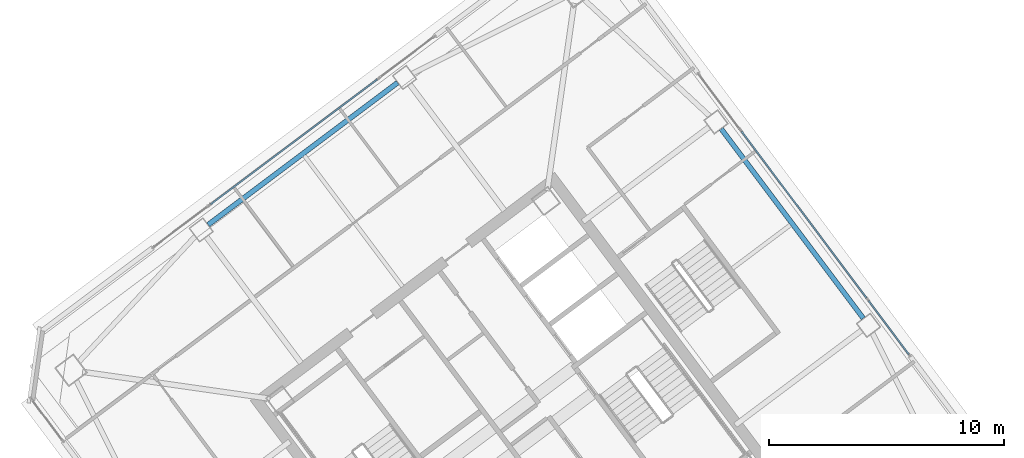
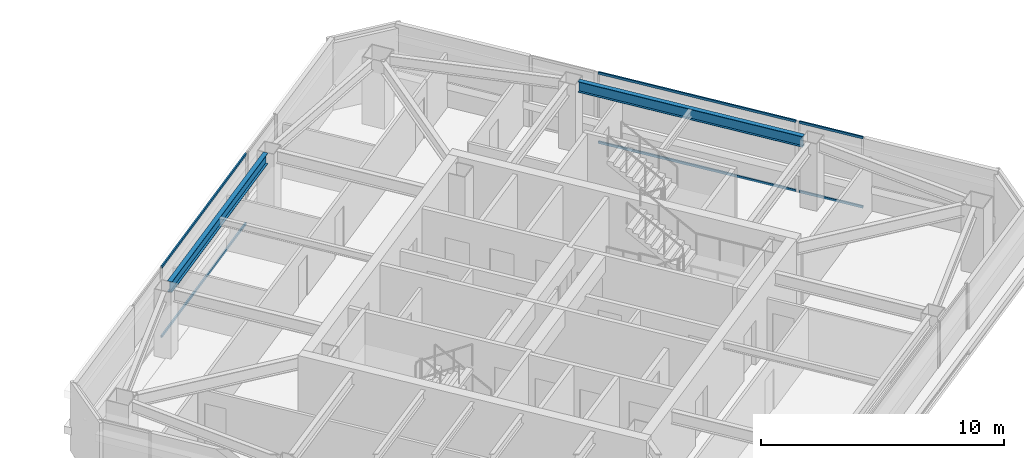
# One storey, part 25 of 40: 6 members, 2 beams, 3 elements without a shape of their own.
"""IFC4 building model written with IfcOpenShell, lengths in metres."""

from ifc_helpers import new_model, si_unit, direction, frame, origin, origin_2d, place, context, subcontext, project, spatial, hollow_rectangle, i_section, extrude, material, material_profile, profile_set, type_object, element, aggregate, save


model = new_model("IFC4")

# Units and contexts
model_context = context("Model", 3, precision=1e-05, world=origin(), true_north=direction((0.0, 1.0)))
body_context = subcontext(model_context, "Body", "Model", "MODEL_VIEW")
ifc_project = project(units=[si_unit("LENGTHUNIT", "METRE"), si_unit("AREAUNIT", "SQUARE_METRE"), si_unit("VOLUMEUNIT", "CUBIC_METRE"), si_unit("PLANEANGLEUNIT", "RADIAN"), si_unit("MASSUNIT", "GRAM", prefix="KILO")], contexts=[model_context])

# Site, building, storey
site_placement = place(None, origin())
site = spatial("IfcSite", under=ifc_project, at=site_placement, CompositionType="ELEMENT")
building_placement = place(site_placement, origin())
building = spatial("IfcBuilding", under=site, at=building_placement, Name="Tashvorn Skyway Center", CompositionType="ELEMENT")
storey_placement = place(building_placement, frame((0.0, 0.0, 221.949951171875)))
storey = spatial("IfcBuildingStorey", under=building, at=storey_placement, Name="L60", CompositionType="ELEMENT", Elevation=221.949951171875)

# Beams
ifc_material_1 = material(Name="Steel ASTM A992 Grade 50", Category="steel")
ifc_material_profile_1 = material_profile(ifc_material_1, i_section(OverallWidth=0.2109375, OverallDepth=0.5390625, WebThickness=0.01171875, FlangeThickness=0.018798828125, at=origin_2d()), Name="W21X73")
ifc_profile_set_1 = profile_set([ifc_material_profile_1], Name="Steel ASTM A992 Grade 50")
beam_type = type_object("IfcBeamType", Name="BM-SPANDREL-W21X73", PredefinedType="SPANDREL", material=ifc_profile_set_1)
for number, where, z_axis, x_axis, name in (
    (1, (128.89794921875, 36.885986328125, 3.1005859375), (-0.599988351091, 0.800008736549, 0.0), (-0.800008736549, -0.599988351091, 0.0), "Tower 2 L60 Spandrel Beam 05"),
    (2, (109.114013671875, 46.89794921875, 3.1005859375), (-0.800008736549, -0.599988351091, 0.0), (0.599988351091, -0.800008736549, 0.0), "Tower 2 L60 Spandrel Beam 08"),
):
    element("IfcBeam", number, at=place(storey_placement, frame(where, z_axis=z_axis, x_axis=x_axis)), inside=storey, type_object=beam_type, Name=name, PredefinedType="SPANDREL", context=body_context, shape_type="SweptSolid", body=[
        extrude(i_section(OverallWidth=0.2109375, OverallDepth=0.5390625, WebThickness=0.01171875, FlangeThickness=0.018798828125, at=origin_2d()), origin(), (0.0, 0.0, 1.0), 10.06005859375),
    ])

# Curtain wall, members
ifc_material_2 = material(Name="Thermally broken bronze-anodized aluminium 6063-T6", Category="aluminium")
curtain_wall_type = type_object("IfcCurtainWallType", Name="CW-CW-Z5", PredefinedType="NOTDEFINED", material=ifc_material_2)
curtain_wall_1_placement = place(storey_placement, origin())
curtain_wall_1 = element("IfcCurtainWall", 3, at=curtain_wall_1_placement, inside=storey, type_object=curtain_wall_type, Name="Tower 2 L60 North Unitised Curtain Wall Glazing Group 2", PredefinedType="NOTDEFINED")
ifc_material_profile_2 = material_profile(ifc_material_2, hollow_rectangle(XDim=0.070068359375, YDim=0.114990234375, WallThickness=0.00390625, at=origin_2d()), Name="ALU-TRAN-70x115")
ifc_profile_set_2 = profile_set([ifc_material_profile_2], Name="Thermally broken bronze-anodized aluminium 6063-T6")
member_type = type_object("IfcMemberType", Name="CWT-CW-Z5", PredefinedType="USERDEFINED", material=ifc_profile_set_2)
member_1_placement = place(storey_placement, frame((101.17333984375, 41.72998046875, 0.03515625), z_axis=(0.799996688401, 0.600004415441, 0.0), x_axis=(-0.600004415441, 0.799996688401, 0.0)))
member_1 = element("IfcMember", 4, at=member_1_placement, type_object=member_type, Name="CW-Z5 transom 1.1", ObjectType="TRANSOM", PredefinedType="USERDEFINED", context=body_context, shape_type="SweptSolid", body=[
    extrude(hollow_rectangle(XDim=0.070068359375, YDim=0.114990234375, WallThickness=0.00390625, at=origin_2d()), origin(), (0.0, 0.0, 1.0), 8.8466796875),
])
member_2_placement = place(storey_placement, frame((101.17333984375, 41.72998046875, 3.51513671875), z_axis=(0.799996688401, 0.600004415441, 0.0), x_axis=(-0.600004415441, 0.799996688401, 0.0)))
member_2 = element("IfcMember", 5, at=member_2_placement, type_object=member_type, Name="CW-Z5 transom 1.2", ObjectType="TRANSOM", PredefinedType="USERDEFINED", context=body_context, shape_type="SweptSolid", body=[
    extrude(hollow_rectangle(XDim=0.070068359375, YDim=0.114990234375, WallThickness=0.00390625, at=origin_2d()), origin(), (0.0, 0.0, 1.0), 8.8466796875),
])
aggregate(curtain_wall_1, [member_1, member_2])

curtain_wall_2_placement = place(storey_placement, origin())
curtain_wall_2 = element("IfcCurtainWall", 6, at=curtain_wall_2_placement, inside=storey, type_object=curtain_wall_type, Name="Tower 2 L60 East Unitised Curtain Wall Glazing Group 2", PredefinedType="NOTDEFINED")
member_3_placement = place(storey_placement, frame((123.72998046875, 44.82666015625, 0.03515625), z_axis=(0.600004415441, -0.799996688401, 0.0), x_axis=(0.799996688401, 0.600004415441, 0.0)))
member_3 = element("IfcMember", 7, at=member_3_placement, type_object=member_type, Name="CW-Z5 transom 1.1", ObjectType="TRANSOM", PredefinedType="USERDEFINED", context=body_context, shape_type="SweptSolid", body=[
    extrude(hollow_rectangle(XDim=0.070068359375, YDim=0.114990234375, WallThickness=0.00390625, at=origin_2d()), origin(), (0.0, 0.0, 1.0), 8.8466796875),
])
member_4_placement = place(storey_placement, frame((123.72998046875, 44.82666015625, 3.51513671875), z_axis=(0.600004415441, -0.799996688401, 0.0), x_axis=(0.799996688401, 0.600004415441, 0.0)))
member_4 = element("IfcMember", 8, at=member_4_placement, type_object=member_type, Name="CW-Z5 transom 1.2", ObjectType="TRANSOM", PredefinedType="USERDEFINED", context=body_context, shape_type="SweptSolid", body=[
    extrude(hollow_rectangle(XDim=0.070068359375, YDim=0.114990234375, WallThickness=0.00390625, at=origin_2d()), origin(), (0.0, 0.0, 1.0), 8.8466796875),
])
aggregate(curtain_wall_2, [member_3, member_4])

curtain_wall_3_placement = place(storey_placement, origin())
curtain_wall_3 = element("IfcCurtainWall", 9, at=curtain_wall_3_placement, inside=storey, type_object=curtain_wall_type, Name="Tower 2 L60 East Unitised Curtain Wall Glazing Group 3", PredefinedType="NOTDEFINED")
member_5_placement = place(storey_placement, frame((129.1220703125, 37.63720703125, 0.03515625), z_axis=(0.599958958837, -0.800030779227, 0.0), x_axis=(0.800030779227, 0.599958958837, 0.0)))
member_5 = element("IfcMember", 10, at=member_5_placement, type_object=member_type, Name="CW-Z5 transom 1.1", ObjectType="TRANSOM", PredefinedType="USERDEFINED", context=body_context, shape_type="SweptSolid", body=[
    extrude(hollow_rectangle(XDim=0.070068359375, YDim=0.114990234375, WallThickness=0.00390625, at=origin_2d()), origin(), (0.0, 0.0, 1.0), 2.85546875),
])
member_6_placement = place(storey_placement, frame((129.1220703125, 37.63720703125, 3.51513671875), z_axis=(0.599958958837, -0.800030779227, 0.0), x_axis=(0.800030779227, 0.599958958837, 0.0)))
member_6 = element("IfcMember", 11, at=member_6_placement, type_object=member_type, Name="CW-Z5 transom 1.2", ObjectType="TRANSOM", PredefinedType="USERDEFINED", context=body_context, shape_type="SweptSolid", body=[
    extrude(hollow_rectangle(XDim=0.070068359375, YDim=0.114990234375, WallThickness=0.00390625, at=origin_2d()), origin(), (0.0, 0.0, 1.0), 2.85546875),
])
aggregate(curtain_wall_3, [member_5, member_6])

save(model, "model.ifc")
